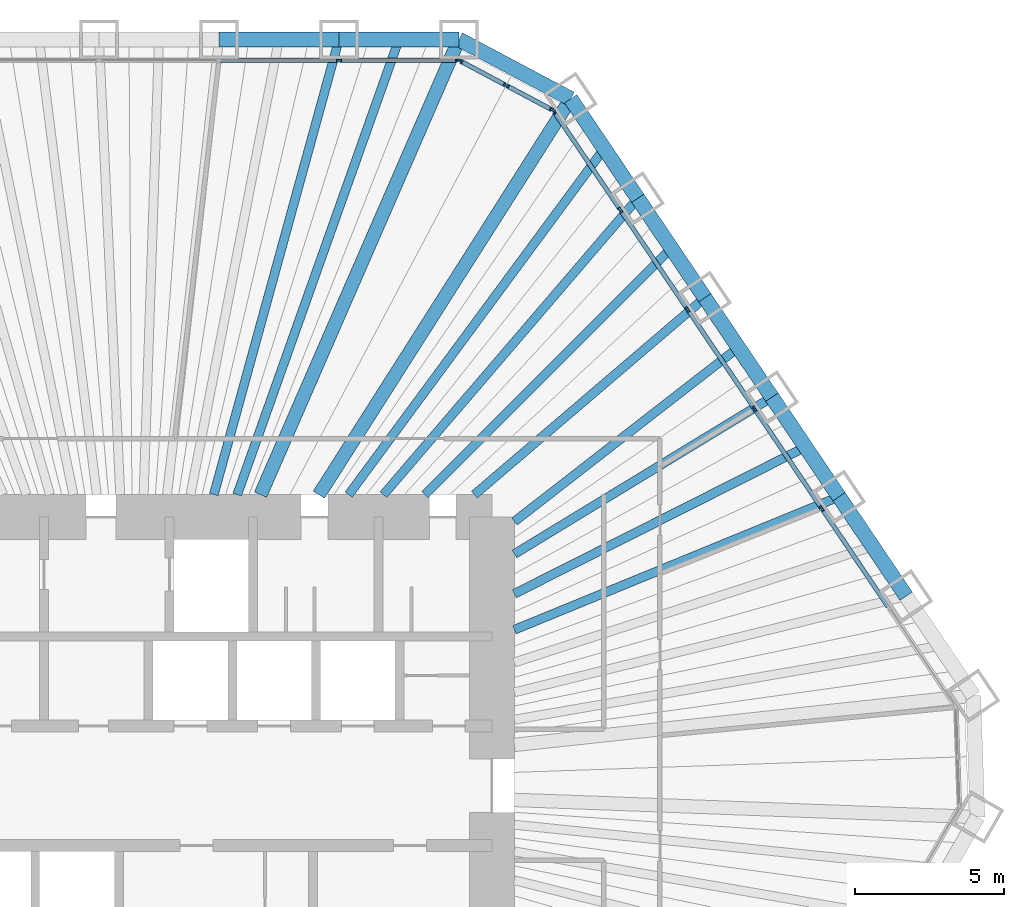
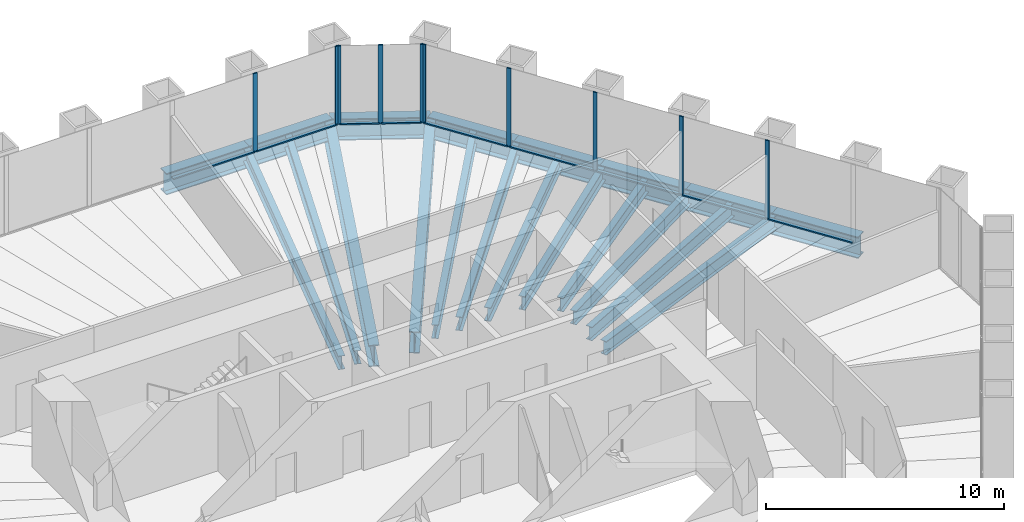
# One storey, part 7 of 13: 20 beams, 19 members, 3 elements without a shape of their own.
"""IFC4 building model written with IfcOpenShell, lengths in metres."""

from ifc_helpers import new_model, si_unit, direction, frame, origin, origin_2d, place, context, subcontext, project, spatial, rectangle, i_section, extrude, material, material_profile, profile_set, type_object, element, aggregate, save


model = new_model("IFC4")

# Units and contexts
model_context = context("Model", 3, precision=1e-05, world=origin(), true_north=direction((0.0, 1.0)))
body_context = subcontext(model_context, "Body", "Model", "MODEL_VIEW")
ifc_project = project(units=[si_unit("LENGTHUNIT", "METRE"), si_unit("AREAUNIT", "SQUARE_METRE"), si_unit("VOLUMEUNIT", "CUBIC_METRE"), si_unit("PLANEANGLEUNIT", "RADIAN"), si_unit("MASSUNIT", "GRAM", prefix="KILO")], contexts=[model_context])

# Site, building, storey
site_placement = place(None, origin())
site = spatial("IfcSite", under=ifc_project, at=site_placement, CompositionType="ELEMENT")
building_placement = place(site_placement, origin())
building = spatial("IfcBuilding", under=site, at=building_placement, Name="Qingtian Harvest Tower", CompositionType="ELEMENT")
storey_placement = place(building_placement, frame((0.0, 0.0, 128.199951171875)))
storey = spatial("IfcBuildingStorey", under=building, at=storey_placement, Name="L26", CompositionType="ELEMENT", Elevation=128.199951171875)

# Beams
ifc_material_1 = material(Name="Steel SM570MC", Category="steel")
ifc_material_profile_1 = material_profile(ifc_material_1, i_section(OverallWidth=0.449951171875, OverallDepth=1.10009765625, WebThickness=0.02197265625, FlangeThickness=0.044921875, at=origin_2d()), Name="H1100x450x22x45")
ifc_profile_set_1 = profile_set([ifc_material_profile_1], Name="Steel SM570MC")
beam_type_1 = type_object("IfcBeamType", Name="Corner floor beam FB8 H1100x450x22x45", PredefinedType="BEAM", material=ifc_profile_set_1)
beam_1_placement = place(storey_placement, frame((10.892822265625, 25.0, -0.719970703125), z_axis=(-0.399451016538, -0.916754539333, 0.0), x_axis=(0.916754539333, -0.399451016538, 0.0)))
element("IfcBeam", 1, at=beam_1_placement, inside=storey, type_object=beam_type_1, Name="Floor beam FB8 N6", PredefinedType="BEAM", context=body_context, shape_type="SweptSolid", body=[
    extrude(i_section(OverallWidth=0.449951171875, OverallDepth=1.10009765625, WebThickness=0.02197265625, FlangeThickness=0.044921875, at=origin_2d()), origin(), (0.0, 0.0, 1.0), 16.634765625),
])
beam_2_placement = place(storey_placement, frame((14.634765625, 23.01025390625, -0.719970703125), z_axis=(-0.536660352939, -0.843798355997, 0.0), x_axis=(0.843798355997, -0.536660352939, 0.0)))
element("IfcBeam", 2, at=beam_2_placement, inside=storey, type_object=beam_type_1, Name="Floor beam FB8 NE0", PredefinedType="BEAM", context=body_context, shape_type="SweptSolid", body=[
    extrude(i_section(OverallWidth=0.449951171875, OverallDepth=1.10009765625, WebThickness=0.02197265625, FlangeThickness=0.044921875, at=origin_2d()), origin(), (0.0, 0.0, 1.0), 15.71484375),
])
ifc_material_2 = material(Name="Steel SN490B", Category="steel")
ifc_material_profile_2 = material_profile(ifc_material_2, i_section(OverallWidth=0.300048828125, OverallDepth=0.699951171875, WebThickness=0.012939453125, FlangeThickness=0.02392578125, at=origin_2d()), Name="H700x300x13x24")
ifc_profile_set_2 = profile_set([ifc_material_profile_2], Name="Steel SN490B")
beam_type_2 = type_object("IfcBeamType", Name="Floor beam FB2 H700x300x13x24", PredefinedType="BEAM", material=ifc_profile_set_2)
beam_3_placement = place(storey_placement, frame((6.873779296875, 25.0, -0.52001953125), z_axis=(-0.265119170108, -0.964215653078, 0.0), x_axis=(0.964215653078, -0.265119170108, 0.0)))
element("IfcBeam", 3, at=beam_3_placement, inside=storey, type_object=beam_type_2, Name="Floor beam FB2 N5", PredefinedType="BEAM", context=body_context, shape_type="SweptSolid", body=[
    extrude(i_section(OverallWidth=0.300048828125, OverallDepth=0.699951171875, WebThickness=0.012939453125, FlangeThickness=0.02392578125, at=origin_2d()), origin(), (0.0, 0.0, 1.0), 15.81591796875),
])
beam_4_placement = place(storey_placement, frame((16.88232421875, 19.67822265625, -0.52001953125), z_axis=(-0.651140196702, -0.758957471957, 0.0), x_axis=(0.758957471957, -0.651140196702, 0.0)))
element("IfcBeam", 4, at=beam_4_placement, inside=storey, type_object=beam_type_2, Name="Floor beam FB2 NE1", PredefinedType="BEAM", context=body_context, shape_type="SweptSolid", body=[
    extrude(i_section(OverallWidth=0.300048828125, OverallDepth=0.699951171875, WebThickness=0.012939453125, FlangeThickness=0.02392578125, at=origin_2d()), origin(), (0.0, 0.0, 1.0), 13.081298828125),
])
beam_5_placement = place(storey_placement, frame((19.129638671875, 16.346435546875, -0.52001953125), z_axis=(-0.760241810635, -0.649640199928, 0.0), x_axis=(0.649640199928, -0.760241810635, 0.0)))
element("IfcBeam", 5, at=beam_5_placement, inside=storey, type_object=beam_type_2, Name="Floor beam FB2 NE2", PredefinedType="BEAM", context=body_context, shape_type="SweptSolid", body=[
    extrude(i_section(OverallWidth=0.300048828125, OverallDepth=0.699951171875, WebThickness=0.012939453125, FlangeThickness=0.02392578125, at=origin_2d()), origin(), (0.0, 0.0, 1.0), 10.154052734375),
])
beam_6_placement = place(storey_placement, frame((21.377197265625, 13.014404296875, -0.52001953125), z_axis=(-0.854160745245, -0.520009058846, 0.0), x_axis=(0.520009058846, -0.854160745245, 0.0)))
element("IfcBeam", 6, at=beam_6_placement, inside=storey, type_object=beam_type_2, Name="Floor beam FB2 NE3", PredefinedType="BEAM", context=body_context, shape_type="SweptSolid", body=[
    extrude(i_section(OverallWidth=0.300048828125, OverallDepth=0.699951171875, WebThickness=0.012939453125, FlangeThickness=0.02392578125, at=origin_2d()), origin(), (0.0, 0.0, 1.0), 10.10009765625),
])
beam_7_placement = place(storey_placement, frame((23.62451171875, 9.682373046875, -0.52001953125), z_axis=(-0.925304541163, -0.379224875375, 0.0), x_axis=(0.379224875375, -0.925304541163, 0.0)))
element("IfcBeam", 7, at=beam_7_placement, inside=storey, type_object=beam_type_2, Name="Floor beam FB2 NE4", PredefinedType="BEAM", context=body_context, shape_type="SweptSolid", body=[
    extrude(i_section(OverallWidth=0.300048828125, OverallDepth=0.699951171875, WebThickness=0.012939453125, FlangeThickness=0.02392578125, at=origin_2d()), origin(), (0.0, 0.0, 1.0), 11.75244140625),
])
ifc_material_3 = material(Name="Steel SN490B", Category="steel")
ifc_material_profile_3 = material_profile(ifc_material_3, i_section(OverallWidth=0.300048828125, OverallDepth=0.699951171875, WebThickness=0.012939453125, FlangeThickness=0.02392578125, at=origin_2d()), Name="H700x300x13x24")
ifc_profile_set_3 = profile_set([ifc_material_profile_3], Name="Steel SN490B")
beam_type_3 = type_object("IfcBeamType", Name="Floor joist J2 H700x300x13x24", PredefinedType="JOIST", material=ifc_profile_set_3)
beam_8_placement = place(storey_placement, frame((8.88330078125, 25.0, -0.52001953125), z_axis=(-0.334829909573, -0.94227858495, 0.0), x_axis=(0.94227858495, -0.334829909573, 0.0)))
element("IfcBeam", 8, at=beam_8_placement, inside=storey, type_object=beam_type_3, Name="Floor joist J2 N5", PredefinedType="JOIST", context=body_context, shape_type="SweptSolid", body=[
    extrude(i_section(OverallWidth=0.300048828125, OverallDepth=0.699951171875, WebThickness=0.012939453125, FlangeThickness=0.02392578125, at=origin_2d()), origin(), (0.0, 0.0, 1.0), 16.18408203125),
])
beam_9_placement = place(storey_placement, frame((15.758544921875, 21.34423828125, -0.52001953125), z_axis=(-0.593960386058, -0.804494288229, 0.0), x_axis=(0.804494288229, -0.593960386058, 0.0)))
element("IfcBeam", 9, at=beam_9_placement, inside=storey, type_object=beam_type_3, Name="Floor joist J2 NE0", PredefinedType="JOIST", context=body_context, shape_type="SweptSolid", body=[
    extrude(i_section(OverallWidth=0.300048828125, OverallDepth=0.699951171875, WebThickness=0.012939453125, FlangeThickness=0.02392578125, at=origin_2d()), origin(), (0.0, 0.0, 1.0), 14.411865234375),
])
beam_10_placement = place(storey_placement, frame((18.005859375, 18.012451171875, -0.52001953125), z_axis=(-0.706970932755, -0.707242603524, 0.0), x_axis=(0.707242603524, -0.706970932755, 0.0)))
element("IfcBeam", 10, at=beam_10_placement, inside=storey, type_object=beam_type_3, Name="Floor joist J2 NE1", PredefinedType="JOIST", context=body_context, shape_type="SweptSolid", body=[
    extrude(i_section(OverallWidth=0.300048828125, OverallDepth=0.699951171875, WebThickness=0.012939453125, FlangeThickness=0.02392578125, at=origin_2d()), origin(), (0.0, 0.0, 1.0), 11.6826171875),
])
beam_11_placement = place(storey_placement, frame((20.25341796875, 14.680419921875, -0.52001953125), z_axis=(-0.789641272199, -0.61356879096, 0.0), x_axis=(0.61356879096, -0.789641272199, 0.0)))
element("IfcBeam", 11, at=beam_11_placement, inside=storey, type_object=beam_type_3, Name="Floor joist J2 NE2", PredefinedType="JOIST", context=body_context, shape_type="SweptSolid", body=[
    extrude(i_section(OverallWidth=0.300048828125, OverallDepth=0.699951171875, WebThickness=0.012939453125, FlangeThickness=0.02392578125, at=origin_2d()), origin(), (0.0, 0.0, 1.0), 9.502197265625),
])
beam_12_placement = place(storey_placement, frame((22.500732421875, 11.348388671875, -0.52001953125), z_axis=(-0.892861323685, -0.450331718478, 0.0), x_axis=(0.450331718478, -0.892861323685, 0.0)))
element("IfcBeam", 12, at=beam_12_placement, inside=storey, type_object=beam_type_3, Name="Floor joist J2 NE3", PredefinedType="JOIST", context=body_context, shape_type="SweptSolid", body=[
    extrude(i_section(OverallWidth=0.300048828125, OverallDepth=0.699951171875, WebThickness=0.012939453125, FlangeThickness=0.02392578125, at=origin_2d()), origin(), (0.0, 0.0, 1.0), 10.920654296875),
])

# Curtain wall, members
ifc_material_4 = material(Name="Bronze-anodised aluminium curtain wall", Category="aluminium")
curtain_wall_type = type_object("IfcCurtainWallType", Name="Curtain wall CW4 office", PredefinedType="USERDEFINED", material=ifc_material_4)
curtain_wall_1_placement = place(storey_placement, origin())
curtain_wall_1 = element("IfcCurtainWall", 13, at=curtain_wall_1_placement, inside=storey, type_object=curtain_wall_type, Name="Curtain wall CW4 L26 N0-5", ObjectType="RECESSED CURTAIN WALL", PredefinedType="USERDEFINED")
ifc_material_5 = material(Name="Bronze-anodised aluminium mullion", Category="aluminium")
ifc_material_profile_4 = material_profile(ifc_material_5, rectangle(XDim=0.06494140625, YDim=0.199951171875, at=origin_2d()), Name="AL 65x200")
ifc_profile_set_4 = profile_set([ifc_material_profile_4], Name="Bronze-anodised aluminium mullion")
member_type_1 = type_object("IfcMemberType", Name="Mullion CWM 65x200", PredefinedType="MULLION", material=ifc_profile_set_4)
member_1_placement = place(storey_placement, frame((6.873779296875, 24.300048828125, 0.0), z_axis=(0.0, 0.0, 1.0), x_axis=(0.0, 1.0, 0.0)))
member_1 = element("IfcMember", 14, at=member_1_placement, type_object=member_type_1, Name="CW4 mullion 6", PredefinedType="MULLION", context=body_context, shape_type="SweptSolid", body=[
    extrude(rectangle(XDim=0.06494140625, YDim=0.199951171875, at=origin_2d()), origin(), (0.0, 0.0, 1.0), 4.030029296875),
])
member_2_placement = place(storey_placement, frame((10.8603515625, 24.300048828125, 0.0), z_axis=(0.0, 0.0, 1.0), x_axis=(0.0, 1.0, 0.0)))
member_2 = element("IfcMember", 15, at=member_2_placement, type_object=member_type_1, Name="CW4 mullion 7", PredefinedType="MULLION", context=body_context, shape_type="SweptSolid", body=[
    extrude(rectangle(XDim=0.06494140625, YDim=0.199951171875, at=origin_2d()), origin(), (0.0, 0.0, 1.0), 4.030029296875),
])

curtain_wall_2_placement = place(storey_placement, origin())
curtain_wall_2 = element("IfcCurtainWall", 16, at=curtain_wall_2_placement, inside=storey, type_object=curtain_wall_type, Name="Curtain wall CW4 L26 NC", ObjectType="RECESSED CURTAIN WALL", PredefinedType="USERDEFINED")
member_3_placement = place(storey_placement, frame((10.92138671875, 24.28466796875, 0.0), z_axis=(0.0, 0.0, 1.0), x_axis=(0.469471562786, 0.882947592859, 0.0)))
member_3 = element("IfcMember", 17, at=member_3_placement, type_object=member_type_1, Name="CW4 mullion 1", PredefinedType="MULLION", context=body_context, shape_type="SweptSolid", body=[
    extrude(rectangle(XDim=0.06494140625, YDim=0.199951171875, at=origin_2d()), origin(), (0.0, 0.0, 1.0), 4.030029296875),
])
member_4_placement = place(storey_placement, frame((12.4736328125, 23.45947265625, 0.0), z_axis=(0.0, 0.0, 1.0), x_axis=(0.469471562786, 0.882947592859, 0.0)))
member_4 = element("IfcMember", 18, at=member_4_placement, type_object=member_type_1, Name="CW4 mullion 2", PredefinedType="MULLION", context=body_context, shape_type="SweptSolid", body=[
    extrude(rectangle(XDim=0.06494140625, YDim=0.199951171875, at=origin_2d()), origin(), (0.0, 0.0, 1.0), 4.030029296875),
])
member_5_placement = place(storey_placement, frame((14.02587890625, 22.634033203125, 0.0), z_axis=(0.0, 0.0, 1.0), x_axis=(0.469471562786, 0.882947592859, 0.0)))
member_5 = element("IfcMember", 19, at=member_5_placement, type_object=member_type_1, Name="CW4 mullion 3", PredefinedType="MULLION", context=body_context, shape_type="SweptSolid", body=[
    extrude(rectangle(XDim=0.06494140625, YDim=0.199951171875, at=origin_2d()), origin(), (0.0, 0.0, 1.0), 4.030029296875),
])

curtain_wall_3_placement = place(storey_placement, origin())
curtain_wall_3 = element("IfcCurtainWall", 20, at=curtain_wall_3_placement, inside=storey, type_object=curtain_wall_type, Name="Curtain wall CW4 L26 NE0-5", ObjectType="RECESSED CURTAIN WALL", PredefinedType="USERDEFINED")
member_6_placement = place(storey_placement, frame((14.07275390625, 22.592041015625, 0.0), z_axis=(0.0, 0.0, 1.0), x_axis=(0.829037572555, 0.559192903471, 0.0)))
member_6 = element("IfcMember", 21, at=member_6_placement, type_object=member_type_1, Name="CW4 mullion 1", PredefinedType="MULLION", context=body_context, shape_type="SweptSolid", body=[
    extrude(rectangle(XDim=0.06494140625, YDim=0.199951171875, at=origin_2d()), origin(), (0.0, 0.0, 1.0), 4.030029296875),
])
member_7_placement = place(storey_placement, frame((16.302001953125, 19.286865234375, 0.0), z_axis=(0.0, 0.0, 1.0), x_axis=(0.829037572555, 0.559192903471, 0.0)))
member_7 = element("IfcMember", 22, at=member_7_placement, type_object=member_type_1, Name="CW4 mullion 2", PredefinedType="MULLION", context=body_context, shape_type="SweptSolid", body=[
    extrude(rectangle(XDim=0.06494140625, YDim=0.199951171875, at=origin_2d()), origin(), (0.0, 0.0, 1.0), 4.030029296875),
])
member_8_placement = place(storey_placement, frame((18.54931640625, 15.954833984375, 0.0), z_axis=(0.0, 0.0, 1.0), x_axis=(0.829037572555, 0.559192903471, 0.0)))
member_8 = element("IfcMember", 23, at=member_8_placement, type_object=member_type_1, Name="CW4 mullion 3", PredefinedType="MULLION", context=body_context, shape_type="SweptSolid", body=[
    extrude(rectangle(XDim=0.06494140625, YDim=0.199951171875, at=origin_2d()), origin(), (0.0, 0.0, 1.0), 4.030029296875),
])
member_9_placement = place(storey_placement, frame((20.796875, 12.623046875, 0.0), z_axis=(0.0, 0.0, 1.0), x_axis=(0.829037572555, 0.559192903471, 0.0)))
member_9 = element("IfcMember", 24, at=member_9_placement, type_object=member_type_1, Name="CW4 mullion 4", PredefinedType="MULLION", context=body_context, shape_type="SweptSolid", body=[
    extrude(rectangle(XDim=0.06494140625, YDim=0.199951171875, at=origin_2d()), origin(), (0.0, 0.0, 1.0), 4.030029296875),
])
member_10_placement = place(storey_placement, frame((23.044189453125, 9.291015625, 0.0), z_axis=(0.0, 0.0, 1.0), x_axis=(0.829037572555, 0.559192903471, 0.0)))
member_10 = element("IfcMember", 25, at=member_10_placement, type_object=member_type_1, Name="CW4 mullion 5", PredefinedType="MULLION", context=body_context, shape_type="SweptSolid", body=[
    extrude(rectangle(XDim=0.06494140625, YDim=0.199951171875, at=origin_2d()), origin(), (0.0, 0.0, 1.0), 4.030029296875),
])

# Beams
ifc_material_6 = material(Name="Steel SM570MC", Category="steel")
ifc_material_profile_5 = material_profile(ifc_material_6, i_section(OverallWidth=0.5, OverallDepth=1.10009765625, WebThickness=0.02490234375, FlangeThickness=0.050048828125, at=origin_2d()), Name="H1100x500x25x50")
ifc_profile_set_5 = profile_set([ifc_material_profile_5], Name="Steel SM570MC")
beam_type_4 = type_object("IfcBeamType", Name="Spandrel beam SB2 H1100x500x25x50", PredefinedType="SPANDREL", material=ifc_profile_set_5)
beam_13_placement = place(storey_placement, frame((2.8544921875, 25.0, -0.550048828125), z_axis=(1.0, 0.0, 0.0), x_axis=(0.0, 1.0, 0.0)))
element("IfcBeam", 26, at=beam_13_placement, inside=storey, type_object=beam_type_4, Name="Spandrel SB2 N4", PredefinedType="SPANDREL", context=body_context, shape_type="SweptSolid", body=[
    extrude(i_section(OverallWidth=0.5, OverallDepth=1.10009765625, WebThickness=0.02490234375, FlangeThickness=0.050048828125, at=origin_2d()), origin(), (0.0, 0.0, 1.0), 4.019287109375),
])
beam_14_placement = place(storey_placement, frame((6.873779296875, 25.0, -0.550048828125), z_axis=(1.0, 0.0, 0.0), x_axis=(0.0, 1.0, 0.0)))
element("IfcBeam", 27, at=beam_14_placement, inside=storey, type_object=beam_type_4, Name="Spandrel SB2 N5", PredefinedType="SPANDREL", context=body_context, shape_type="SweptSolid", body=[
    extrude(i_section(OverallWidth=0.5, OverallDepth=1.10009765625, WebThickness=0.02490234375, FlangeThickness=0.050048828125, at=origin_2d()), origin(), (0.0, 0.0, 1.0), 4.01904296875),
])
beam_15_placement = place(storey_placement, frame((10.892822265625, 25.0, -0.550048828125), z_axis=(0.882935902835, -0.469493547863, 0.0), x_axis=(0.469493547863, 0.882935902835, 0.0)))
element("IfcBeam", 28, at=beam_15_placement, inside=storey, type_object=beam_type_4, Name="Spandrel SB2 NC", PredefinedType="SPANDREL", context=body_context, shape_type="SweptSolid", body=[
    extrude(i_section(OverallWidth=0.5, OverallDepth=1.10009765625, WebThickness=0.02490234375, FlangeThickness=0.050048828125, at=origin_2d()), origin(), (0.0, 0.0, 1.0), 4.238037109375),
])
beam_16_placement = place(storey_placement, frame((14.634765625, 23.01025390625, -0.550048828125), z_axis=(0.559205752254, -0.829028905796, 0.0), x_axis=(0.829028905796, 0.559205752254, 0.0)))
element("IfcBeam", 29, at=beam_16_placement, inside=storey, type_object=beam_type_4, Name="Spandrel SB2 NE0", PredefinedType="SPANDREL", context=body_context, shape_type="SweptSolid", body=[
    extrude(i_section(OverallWidth=0.5, OverallDepth=1.10009765625, WebThickness=0.02490234375, FlangeThickness=0.050048828125, at=origin_2d()), origin(), (0.0, 0.0, 1.0), 4.019287109375),
])
beam_17_placement = place(storey_placement, frame((16.88232421875, 19.67822265625, -0.550048828125), z_axis=(0.55919216322, -0.82903807186, 0.0), x_axis=(0.82903807186, 0.55919216322, 0.0)))
element("IfcBeam", 30, at=beam_17_placement, inside=storey, type_object=beam_type_4, Name="Spandrel SB2 NE1", PredefinedType="SPANDREL", context=body_context, shape_type="SweptSolid", body=[
    extrude(i_section(OverallWidth=0.5, OverallDepth=1.10009765625, WebThickness=0.02490234375, FlangeThickness=0.050048828125, at=origin_2d()), origin(), (0.0, 0.0, 1.0), 4.018798828125),
])
beam_18_placement = place(storey_placement, frame((19.129638671875, 16.346435546875, -0.550048828125), z_axis=(0.559205752254, -0.829028905796, 0.0), x_axis=(0.829028905796, 0.559205752254, 0.0)))
element("IfcBeam", 31, at=beam_18_placement, inside=storey, type_object=beam_type_4, Name="Spandrel SB2 NE2", PredefinedType="SPANDREL", context=body_context, shape_type="SweptSolid", body=[
    extrude(i_section(OverallWidth=0.5, OverallDepth=1.10009765625, WebThickness=0.02490234375, FlangeThickness=0.050048828125, at=origin_2d()), origin(), (0.0, 0.0, 1.0), 4.019287109375),
])
for number, where, z_axis, x_axis, name in (
    (32, (21.377197265625, 13.014404296875, -0.550048828125), (0.55916400171, -0.829057066306, 0.0), (0.829057066306, 0.55916400171, 0.0), "Spandrel SB2 NE3"),
    (33, (23.62451171875, 9.682373046875, -0.550048828125), (0.559233913953, -0.829009909159, 0.0), (0.829009909159, 0.559233913953, 0.0), "Spandrel SB2 NE4"),
):
    element("IfcBeam", number, at=place(storey_placement, frame(where, z_axis=z_axis, x_axis=x_axis)), inside=storey, type_object=beam_type_4, Name=name, PredefinedType="SPANDREL", context=body_context, shape_type="SweptSolid", body=[
        extrude(i_section(OverallWidth=0.5, OverallDepth=1.10009765625, WebThickness=0.02490234375, FlangeThickness=0.050048828125, at=origin_2d()), origin(), (0.0, 0.0, 1.0), 4.01904296875),
    ])

# Member
ifc_material_7 = material(Name="Bronze-anodised aluminium transom", Category="aluminium")
ifc_material_profile_6 = material_profile(ifc_material_7, rectangle(XDim=0.14990234375, YDim=0.06494140625, at=origin_2d()), Name="AL 65x150")
ifc_profile_set_6 = profile_set([ifc_material_profile_6], Name="Bronze-anodised aluminium transom")
member_type_2 = type_object("IfcMemberType", Name="Transom CWT 65x150", PredefinedType="USERDEFINED", material=ifc_profile_set_6)
member_11_placement = place(storey_placement, frame((2.886962890625, 24.300048828125, 0.032470703125), z_axis=(1.0, 0.0, 0.0), x_axis=(0.0, 1.0, 0.0)))
member_11 = element("IfcMember", 34, at=member_11_placement, type_object=member_type_2, Name="CW4 transom 5.1", ObjectType="TRANSOM", PredefinedType="USERDEFINED", context=body_context, shape_type="SweptSolid", body=[
    extrude(rectangle(XDim=0.14990234375, YDim=0.06494140625, at=origin_2d()), origin(), (0.0, 0.0, 1.0), 3.9541015625),
])

member_12_placement = place(storey_placement, frame((6.90625, 24.300048828125, 0.032470703125), z_axis=(1.0, 0.0, 0.0), x_axis=(0.0, 1.0, 0.0)))
member_12 = element("IfcMember", 35, at=member_12_placement, type_object=member_type_2, Name="CW4 transom 6.1", ObjectType="TRANSOM", PredefinedType="USERDEFINED", context=body_context, shape_type="SweptSolid", body=[
    extrude(rectangle(XDim=0.14990234375, YDim=0.06494140625, at=origin_2d()), origin(), (0.0, 0.0, 1.0), 3.92138671875),
])

aggregate(curtain_wall_1, [member_1, member_2, member_11, member_12])

member_13_placement = place(storey_placement, frame((10.9501953125, 24.26953125, 0.032470703125), z_axis=(0.882895287784, -0.469569921108, 0.0), x_axis=(0.469569921108, 0.882895287784, 0.0)))
member_13 = element("IfcMember", 36, at=member_13_placement, type_object=member_type_2, Name="CW4 transom 1.1", ObjectType="TRANSOM", PredefinedType="USERDEFINED", context=body_context, shape_type="SweptSolid", body=[
    extrude(rectangle(XDim=0.14990234375, YDim=0.06494140625, at=origin_2d()), origin(), (0.0, 0.0, 1.0), 1.69287109375),
])

member_14_placement = place(storey_placement, frame((12.502197265625, 23.444091796875, 0.032470703125), z_axis=(0.882986854304, -0.469397715297, 0.0), x_axis=(0.469397715297, 0.882986854304, 0.0)))
member_14 = element("IfcMember", 37, at=member_14_placement, type_object=member_type_2, Name="CW4 transom 2.1", ObjectType="TRANSOM", PredefinedType="USERDEFINED", context=body_context, shape_type="SweptSolid", body=[
    extrude(rectangle(XDim=0.14990234375, YDim=0.06494140625, at=origin_2d()), origin(), (0.0, 0.0, 1.0), 1.69287109375),
])

aggregate(curtain_wall_2, [member_3, member_4, member_5, member_13, member_14])

member_15_placement = place(storey_placement, frame((14.0908203125, 22.56494140625, 0.032470703125), z_axis=(0.55920336949, -0.82903051304, 0.0), x_axis=(0.82903051304, 0.55920336949, 0.0)))
member_15 = element("IfcMember", 38, at=member_15_placement, type_object=member_type_2, Name="CW4 transom 1.1", ObjectType="TRANSOM", PredefinedType="USERDEFINED", context=body_context, shape_type="SweptSolid", body=[
    extrude(rectangle(XDim=0.14990234375, YDim=0.06494140625, at=origin_2d()), origin(), (0.0, 0.0, 1.0), 3.92138671875),
])

member_16_placement = place(storey_placement, frame((16.320068359375, 19.260009765625, 0.032470703125), z_axis=(0.55920878069, -0.829026863014, 0.0), x_axis=(0.829026863014, 0.55920878069, 0.0)))
member_16 = element("IfcMember", 39, at=member_16_placement, type_object=member_type_2, Name="CW4 transom 2.1", ObjectType="TRANSOM", PredefinedType="USERDEFINED", context=body_context, shape_type="SweptSolid", body=[
    extrude(rectangle(XDim=0.14990234375, YDim=0.06494140625, at=origin_2d()), origin(), (0.0, 0.0, 1.0), 3.9541015625),
])

member_17_placement = place(storey_placement, frame((18.567626953125, 15.927978515625, 0.032470703125), z_axis=(0.559166343236, -0.82905548704, 0.0), x_axis=(0.82905548704, 0.559166343236, 0.0)))
member_17 = element("IfcMember", 40, at=member_17_placement, type_object=member_type_2, Name="CW4 transom 3.1", ObjectType="TRANSOM", PredefinedType="USERDEFINED", context=body_context, shape_type="SweptSolid", body=[
    extrude(rectangle(XDim=0.14990234375, YDim=0.06494140625, at=origin_2d()), origin(), (0.0, 0.0, 1.0), 3.9541015625),
])

member_18_placement = place(storey_placement, frame((20.81494140625, 12.595947265625, 0.032470703125), z_axis=(0.55920878069, -0.829026863014, 0.0), x_axis=(0.829026863014, 0.55920878069, 0.0)))
member_18 = element("IfcMember", 41, at=member_18_placement, type_object=member_type_2, Name="CW4 transom 4.1", ObjectType="TRANSOM", PredefinedType="USERDEFINED", context=body_context, shape_type="SweptSolid", body=[
    extrude(rectangle(XDim=0.14990234375, YDim=0.06494140625, at=origin_2d()), origin(), (0.0, 0.0, 1.0), 3.9541015625),
])

member_19_placement = place(storey_placement, frame((23.0625, 9.26416015625, 0.032470703125), z_axis=(0.559166343236, -0.82905548704, 0.0), x_axis=(0.82905548704, 0.559166343236, 0.0)))
member_19 = element("IfcMember", 42, at=member_19_placement, type_object=member_type_2, Name="CW4 transom 5.1", ObjectType="TRANSOM", PredefinedType="USERDEFINED", context=body_context, shape_type="SweptSolid", body=[
    extrude(rectangle(XDim=0.14990234375, YDim=0.06494140625, at=origin_2d()), origin(), (0.0, 0.0, 1.0), 3.9541015625),
])

aggregate(curtain_wall_3, [member_6, member_7, member_8, member_9, member_10, member_15, member_16, member_17, member_18, member_19])

save(model, "model.ifc")
